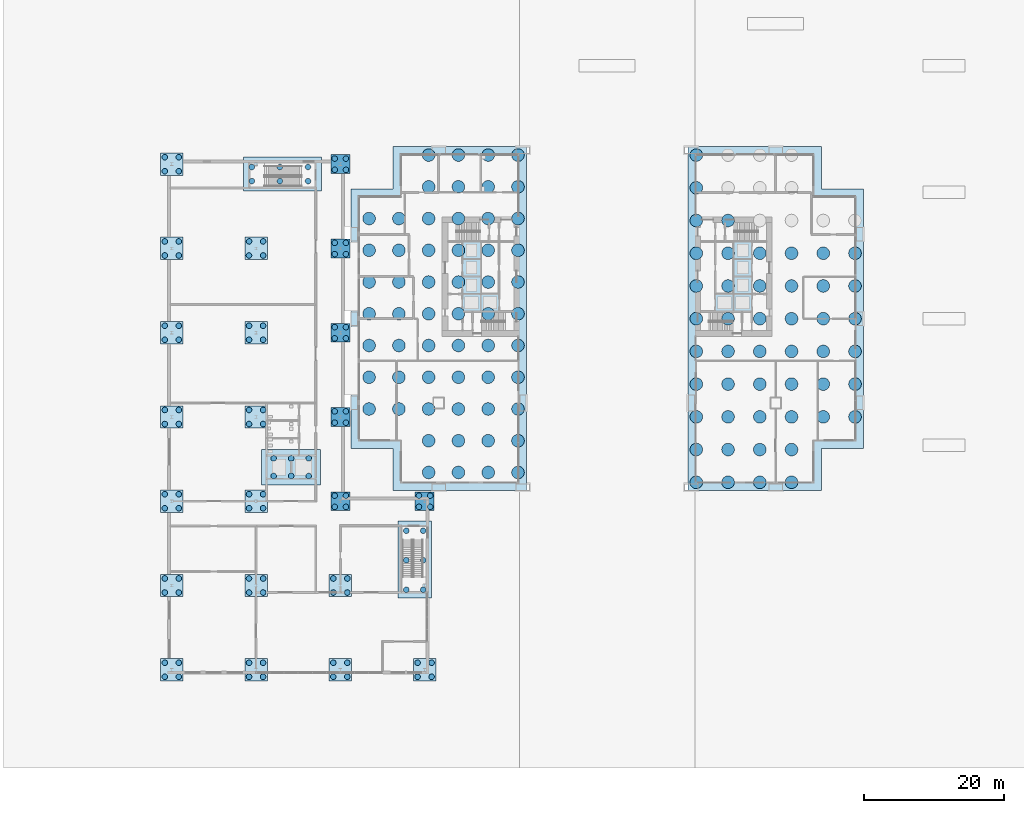
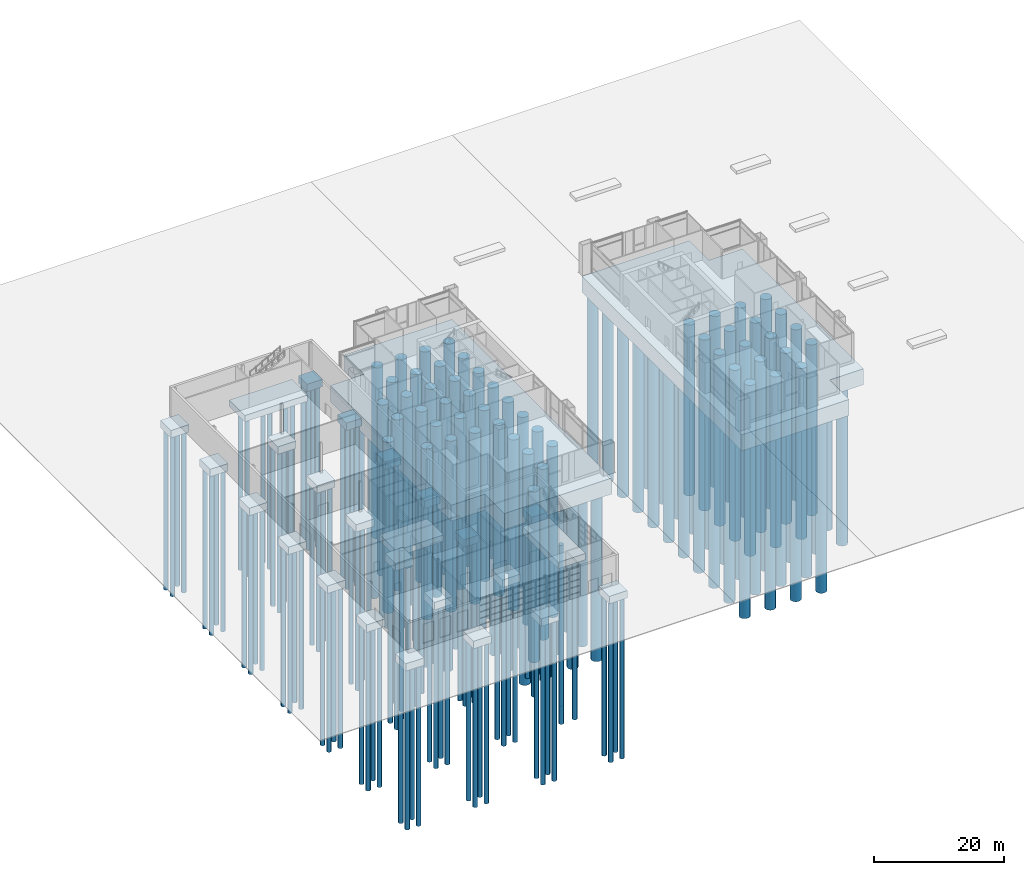
# One storey, part 1 of 29: 212 piles, 27 footings.
"""IFC4 building model written with IfcOpenShell, lengths in metres."""

from ifc_helpers import new_model, si_unit, direction, frame, origin, origin_2d, place, context, subcontext, project, spatial, polyline, rectangle, circle, outline, extrude, material, layer, layer_set, material_profile, profile_set, type_object, element, save


model = new_model("IFC4")

# Units and contexts
model_context = context("Model", 3, precision=1e-05, world=origin(), true_north=direction((0.0, 1.0)))
body_context = subcontext(model_context, "Body", "Model", "MODEL_VIEW")
ifc_project = project(units=[si_unit("LENGTHUNIT", "METRE"), si_unit("AREAUNIT", "SQUARE_METRE"), si_unit("VOLUMEUNIT", "CUBIC_METRE"), si_unit("PLANEANGLEUNIT", "RADIAN"), si_unit("MASSUNIT", "GRAM", prefix="KILO")], contexts=[model_context])

# Site, building, storey
site_placement = place(None, origin())
site = spatial("IfcSite", under=ifc_project, at=site_placement, CompositionType="ELEMENT")
building_placement = place(site_placement, origin())
building = spatial("IfcBuilding", under=site, at=building_placement, Name="Kitamizu Gate Tower and Museum", CompositionType="ELEMENT")
storey_placement = place(building_placement, origin())
storey = spatial("IfcBuildingStorey", under=building, at=storey_placement, Name="L00", CompositionType="ELEMENT", Elevation=0.0)

# Piles
ifc_material_1 = material(Name="Concrete Fc42", Category="concrete")
ifc_material_profile_1 = material_profile(ifc_material_1, circle(Radius=0.89990234375, at=origin_2d()), Name="Bored pile D1800")
ifc_profile_set_1 = profile_set([ifc_material_profile_1], Name="Concrete Fc42")
pile_type_1 = type_object("IfcPileType", Name="Bored pile D1800", PredefinedType="BORED", material=ifc_profile_set_1)
for number, where, z_axis, x_axis, name in (
    (1, (2.10009765625, 11.139892578125, -3.800048828125), (0.0, 0.0, -1.0), (1.0, 0.0, 0.0), "Bored pile W00-02"),
    (2, (2.10009765625, 15.659912109375, -3.800048828125), (0.0, 0.0, -1.0), (1.0, 0.0, 0.0), "Bored pile W00-03"),
    (3, (2.10009765625, 20.179931640625, -3.800048828125), (0.0, 0.0, -1.0), (1.0, 0.0, 0.0), "Bored pile W00-04"),
    (4, (2.10009765625, 24.699951171875, -3.800048828125), (0.0, 0.0, -1.0), (1.0, 0.0, 0.0), "Bored pile W00-05"),
    (5, (2.10009765625, 29.219970703125, -3.800048828125), (0.0, 0.0, -1.0), (1.0, 0.0, 0.0), "Bored pile W00-06"),
    (6, (2.10009765625, 33.739990234375, -3.800048828125), (0.0, 0.0, -1.0), (1.0, 0.0, 0.0), "Bored pile W00-07"),
    (7, (2.10009765625, 38.260009765625, -3.800048828125), (0.0, 0.0, -1.0), (1.0, 0.0, 0.0), "Bored pile W00-08"),
    (8, (6.340087890625, 11.139892578125, -3.800048828125), (0.0, 0.0, -1.0), (1.0, 0.0, 0.0), "Bored pile W01-02"),
    (9, (6.340087890625, 15.659912109375, -3.800048828125), (0.0, 0.0, -1.0), (1.0, 0.0, 0.0), "Bored pile W01-03"),
    (10, (6.340087890625, 20.179931640625, -3.800048828125), (0.0, 0.0, -1.0), (1.0, 0.0, 0.0), "Bored pile W01-04"),
    (11, (6.340087890625, 24.699951171875, -3.800048828125), (0.0, 0.0, -1.0), (1.0, 0.0, 0.0), "Bored pile W01-05"),
    (12, (6.340087890625, 29.219970703125, -3.800048828125), (0.0, 0.0, -1.0), (1.0, 0.0, 0.0), "Bored pile W01-06"),
    (13, (6.340087890625, 33.739990234375, -3.800048828125), (0.0, 0.0, -1.0), (1.0, 0.0, 0.0), "Bored pile W01-07"),
    (14, (6.340087890625, 38.260009765625, -3.800048828125), (0.0, 0.0, -1.0), (1.0, 0.0, 0.0), "Bored pile W01-08"),
    (15, (10.580078125, 2.10009765625, -3.800048828125), (0.0, 0.0, -1.0), (1.0, 0.0, 0.0), "Bored pile W02-00"),
    (16, (10.580078125, 6.6201171875, -3.800048828125), (0.0, 0.0, -1.0), (1.0, 0.0, 0.0), "Bored pile W02-01"),
    (17, (10.580078125, 11.139892578125, -3.800048828125), (0.0, 0.0, -1.0), (1.0, 0.0, 0.0), "Bored pile W02-02"),
    (18, (10.580078125, 15.659912109375, -3.800048828125), (0.0, 0.0, -1.0), (1.0, 0.0, 0.0), "Bored pile W02-03"),
    (19, (10.580078125, 20.179931640625, -3.800048828125), (0.0, 0.0, -1.0), (1.0, 0.0, 0.0), "Bored pile W02-04"),
    (20, (10.580078125, 24.699951171875, -3.800048828125), (0.0, 0.0, -1.0), (1.0, 0.0, 0.0), "Bored pile W02-05"),
    (21, (10.580078125, 29.219970703125, -3.800048828125), (0.0, 0.0, -1.0), (1.0, 0.0, 0.0), "Bored pile W02-06"),
    (22, (10.580078125, 33.739990234375, -3.800048828125), (0.0, 0.0, -1.0), (1.0, 0.0, 0.0), "Bored pile W02-07"),
    (23, (10.580078125, 38.260009765625, -3.800048828125), (0.0, 0.0, -1.0), (1.0, 0.0, 0.0), "Bored pile W02-08"),
    (24, (10.580078125, 42.780029296875, -3.800048828125), (0.0, 0.0, -1.0), (1.0, 0.0, 0.0), "Bored pile W02-09"),
    (25, (10.580078125, 47.300048828125, -3.800048828125), (0.0, 0.0, -1.0), (1.0, 0.0, 0.0), "Bored pile W02-10"),
    (26, (14.820068359375, 2.10009765625, -3.800048828125), (0.0, 0.0, -1.0), (1.0, 0.0, 0.0), "Bored pile W03-00"),
    (27, (14.820068359375, 6.6201171875, -3.800048828125), (0.0, 0.0, -1.0), (1.0, 0.0, 0.0), "Bored pile W03-01"),
    (28, (14.820068359375, 11.139892578125, -3.800048828125), (0.0, 0.0, -1.0), (1.0, 0.0, 0.0), "Bored pile W03-02"),
    (29, (14.820068359375, 15.659912109375, -3.800048828125), (0.0, 0.0, -1.0), (1.0, 0.0, 0.0), "Bored pile W03-03"),
    (30, (14.820068359375, 20.179931640625, -3.800048828125), (0.0, 0.0, -1.0), (1.0, 0.0, 0.0), "Bored pile W03-04"),
    (31, (14.820068359375, 24.699951171875, -3.800048828125), (0.0, 0.0, -1.0), (1.0, 0.0, 0.0), "Bored pile W03-05"),
    (32, (14.820068359375, 29.219970703125, -3.800048828125), (0.0, 0.0, -1.0), (1.0, 0.0, 0.0), "Bored pile W03-06"),
    (33, (14.820068359375, 33.739990234375, -3.800048828125), (0.0, 0.0, -1.0), (1.0, 0.0, 0.0), "Bored pile W03-07"),
    (34, (14.820068359375, 38.260009765625, -3.800048828125), (0.0, 0.0, -1.0), (1.0, 0.0, 0.0), "Bored pile W03-08"),
    (35, (14.820068359375, 42.780029296875, -3.800048828125), (0.0, 0.0, -1.0), (1.0, 0.0, 0.0), "Bored pile W03-09"),
    (36, (14.820068359375, 47.300048828125, -3.800048828125), (0.0, 0.0, -1.0), (1.0, 0.0, 0.0), "Bored pile W03-10"),
    (37, (19.06005859375, 2.10009765625, -3.800048828125), (0.0, 0.0, -1.0), (1.0, 0.0, 0.0), "Bored pile W04-00"),
    (38, (19.06005859375, 6.6201171875, -3.800048828125), (0.0, 0.0, -1.0), (1.0, 0.0, 0.0), "Bored pile W04-01"),
    (39, (19.06005859375, 11.139892578125, -3.800048828125), (0.0, 0.0, -1.0), (1.0, 0.0, 0.0), "Bored pile W04-02"),
    (40, (19.06005859375, 15.659912109375, -3.800048828125), (0.0, 0.0, -1.0), (1.0, 0.0, 0.0), "Bored pile W04-03"),
    (41, (19.06005859375, 20.179931640625, -3.800048828125), (0.0, 0.0, -1.0), (1.0, 0.0, 0.0), "Bored pile W04-04"),
    (42, (19.06005859375, 24.699951171875, -3.800048828125), (0.0, 0.0, -1.0), (1.0, 0.0, 0.0), "Bored pile W04-05"),
    (43, (19.06005859375, 29.219970703125, -3.800048828125), (0.0, 0.0, -1.0), (1.0, 0.0, 0.0), "Bored pile W04-06"),
    (44, (19.06005859375, 33.739990234375, -3.800048828125), (0.0, 0.0, -1.0), (1.0, 0.0, 0.0), "Bored pile W04-07"),
    (45, (19.06005859375, 38.260009765625, -3.800048828125), (0.0, 0.0, -1.0), (1.0, 0.0, 0.0), "Bored pile W04-08"),
    (46, (19.06005859375, 42.780029296875, -3.800048828125), (0.0, 0.0, -1.0), (1.0, 0.0, 0.0), "Bored pile W04-09"),
    (47, (19.06005859375, 47.300048828125, -3.800048828125), (0.0, 0.0, -1.0), (1.0, 0.0, 0.0), "Bored pile W04-10"),
    (48, (23.300048828125, 2.10009765625, -3.800048828125), (0.0, 0.0, -1.0), (1.0, 0.0, 0.0), "Bored pile W05-00"),
    (49, (23.300048828125, 6.6201171875, -3.800048828125), (0.0, 0.0, -1.0), (1.0, 0.0, 0.0), "Bored pile W05-01"),
    (50, (23.300048828125, 11.139892578125, -3.800048828125), (0.0, 0.0, -1.0), (1.0, 0.0, 0.0), "Bored pile W05-02"),
    (51, (23.300048828125, 15.659912109375, -3.800048828125), (0.0, 0.0, -1.0), (1.0, 0.0, 0.0), "Bored pile W05-03"),
    (52, (23.300048828125, 20.179931640625, -3.800048828125), (0.0, 0.0, -1.0), (1.0, 0.0, 0.0), "Bored pile W05-04"),
    (53, (23.300048828125, 24.699951171875, -3.800048828125), (0.0, 0.0, -1.0), (1.0, 0.0, 0.0), "Bored pile W05-05"),
    (54, (23.300048828125, 29.219970703125, -3.800048828125), (0.0, 0.0, -1.0), (1.0, 0.0, 0.0), "Bored pile W05-06"),
    (55, (23.300048828125, 33.739990234375, -3.800048828125), (0.0, 0.0, -1.0), (1.0, 0.0, 0.0), "Bored pile W05-07"),
    (56, (23.300048828125, 38.260009765625, -3.800048828125), (0.0, 0.0, -1.0), (1.0, 0.0, 0.0), "Bored pile W05-08"),
    (57, (23.300048828125, 42.780029296875, -3.800048828125), (0.0, 0.0, -1.0), (1.0, 0.0, 0.0), "Bored pile W05-09"),
    (58, (23.300048828125, 47.300048828125, -3.800048828125), (0.0, 0.0, -1.0), (1.0, 0.0, 0.0), "Bored pile W05-10"),
    (59, (48.699951171875, 0.699951171875, -3.800048828125), (0.0, 0.0, -1.0), (1.0, 0.0, 0.0), "Bored pile E00-00"),
    (60, (48.699951171875, 5.360107421875, -3.800048828125), (0.0, 0.0, -1.0), (1.0, 0.0, 0.0), "Bored pile E00-01"),
    (61, (48.699951171875, 10.02001953125, -3.800048828125), (0.0, 0.0, -1.0), (1.0, 0.0, 0.0), "Bored pile E00-02"),
    (62, (48.699951171875, 14.679931640625, -3.800048828125), (0.0, 0.0, -1.0), (1.0, 0.0, 0.0), "Bored pile E00-03"),
    (63, (48.699951171875, 19.340087890625, -3.800048828125), (0.0, 0.0, -1.0), (1.0, 0.0, 0.0), "Bored pile E00-04"),
    (64, (48.699951171875, 24.0, -3.800048828125), (0.0, 0.0, -1.0), (1.0, 0.0, 0.0), "Bored pile E00-05"),
    (65, (48.699951171875, 28.659912109375, -3.800048828125), (0.0, 0.0, -1.0), (1.0, 0.0, 0.0), "Bored pile E00-06"),
    (66, (48.699951171875, 33.320068359375, -3.800048828125), (0.0, 0.0, -1.0), (1.0, 0.0, 0.0), "Bored pile E00-07"),
    (67, (48.699951171875, 37.97998046875, -3.800048828125), (0.0, 0.0, -1.0), (1.0, 0.0, 0.0), "Bored pile E00-08"),
    (68, (48.699951171875, 42.639892578125, -3.800048828125), (0.0, 0.0, -1.0), (1.0, 0.0, 0.0), "Bored pile E00-09"),
    (69, (48.699951171875, 47.300048828125, -3.800048828125), (0.0, 0.0, -1.0), (1.0, 0.0, 0.0), "Bored pile E00-10"),
    (70, (53.219970703125, 0.699951171875, -3.800048828125), (0.0, 0.0, -1.0), (1.0, 0.0, 0.0), "Bored pile E01-00"),
    (71, (53.219970703125, 5.360107421875, -3.800048828125), (0.0, 0.0, -1.0), (1.0, 0.0, 0.0), "Bored pile E01-01"),
    (72, (53.219970703125, 10.02001953125, -3.800048828125), (0.0, 0.0, -1.0), (1.0, 0.0, 0.0), "Bored pile E01-02"),
    (73, (53.219970703125, 14.679931640625, -3.800048828125), (0.0, 0.0, -1.0), (1.0, 0.0, 0.0), "Bored pile E01-03"),
    (74, (53.219970703125, 19.340087890625, -3.800048828125), (0.0, 0.0, -1.0), (1.0, 0.0, 0.0), "Bored pile E01-04"),
    (75, (53.219970703125, 24.0, -3.800048828125), (0.0, 0.0, -1.0), (1.0, 0.0, 0.0), "Bored pile E01-05"),
    (76, (53.219970703125, 28.659912109375, -3.800048828125), (0.0, 0.0, -1.0), (1.0, 0.0, 0.0), "Bored pile E01-06"),
    (77, (53.219970703125, 33.320068359375, -3.800048828125), (0.0, 0.0, -1.0), (1.0, 0.0, 0.0), "Bored pile E01-07"),
    (78, (53.219970703125, 37.97998046875, -3.800048828125), (0.0, 0.0, -1.0), (1.0, 0.0, 0.0), "Bored pile E01-08"),
    (79, (57.739990234375, 0.699951171875, -3.800048828125), (0.0, 0.0, -1.0), (1.0, 0.0, 0.0), "Bored pile E02-00"),
    (80, (57.739990234375, 5.360107421875, -3.800048828125), (0.0, 0.0, -1.0), (1.0, 0.0, 0.0), "Bored pile E02-01"),
    (81, (57.739990234375, 10.02001953125, -3.800048828125), (0.0, 0.0, -1.0), (1.0, 0.0, 0.0), "Bored pile E02-02"),
    (82, (57.739990234375, 14.679931640625, -3.800048828125), (0.0, 0.0, -1.0), (1.0, 0.0, 0.0), "Bored pile E02-03"),
    (83, (57.739990234375, 19.340087890625, -3.800048828125), (0.0, 0.0, -1.0), (1.0, 0.0, 0.0), "Bored pile E02-04"),
    (84, (57.739990234375, 24.0, -3.800048828125), (0.0, 0.0, -1.0), (1.0, 0.0, 0.0), "Bored pile E02-05"),
    (85, (57.739990234375, 28.659912109375, -3.800048828125), (0.0, 0.0, -1.0), (1.0, 0.0, 0.0), "Bored pile E02-06"),
    (86, (57.739990234375, 33.320068359375, -3.800048828125), (0.0, 0.0, -1.0), (1.0, 0.0, 0.0), "Bored pile E02-07"),
    (87, (62.260009765625, 0.699951171875, -3.800048828125), (0.0, 0.0, -1.0), (1.0, 0.0, 0.0), "Bored pile E03-00"),
    (88, (62.260009765625, 5.360107421875, -3.800048828125), (0.0, 0.0, -1.0), (1.0, 0.0, 0.0), "Bored pile E03-01"),
    (89, (62.260009765625, 10.02001953125, -3.800048828125), (0.0, 0.0, -1.0), (1.0, 0.0, 0.0), "Bored pile E03-02"),
    (90, (62.260009765625, 14.679931640625, -3.800048828125), (0.0, 0.0, -1.0), (1.0, 0.0, 0.0), "Bored pile E03-03"),
    (91, (62.260009765625, 19.340087890625, -3.800048828125), (0.0, 0.0, -1.0), (1.0, 0.0, 0.0), "Bored pile E03-04"),
    (92, (62.260009765625, 24.0, -3.800048828125), (0.0, 0.0, -1.0), (1.0, 0.0, 0.0), "Bored pile E03-05"),
    (93, (62.260009765625, 28.659912109375, -3.800048828125), (0.0, 0.0, -1.0), (1.0, 0.0, 0.0), "Bored pile E03-06"),
    (94, (62.260009765625, 33.320068359375, -3.800048828125), (0.0, 0.0, -1.0), (1.0, 0.0, 0.0), "Bored pile E03-07"),
    (95, (66.780029296875, 10.02001953125, -3.800048828125), (0.0, 0.0, -1.0), (1.0, 0.0, 0.0), "Bored pile E04-02"),
    (96, (66.780029296875, 14.679931640625, -3.800048828125), (0.0, 0.0, -1.0), (1.0, 0.0, 0.0), "Bored pile E04-03"),
    (97, (66.780029296875, 19.340087890625, -3.800048828125), (0.0, 0.0, -1.0), (1.0, 0.0, 0.0), "Bored pile E04-04"),
    (98, (66.780029296875, 24.0, -3.800048828125), (0.0, 0.0, -1.0), (1.0, 0.0, 0.0), "Bored pile E04-05"),
    (99, (66.780029296875, 28.659912109375, -3.800048828125), (0.0, 0.0, -1.0), (1.0, 0.0, 0.0), "Bored pile E04-06"),
    (100, (66.780029296875, 33.320068359375, -3.800048828125), (0.0, 0.0, -1.0), (1.0, 0.0, 0.0), "Bored pile E04-07"),
    (101, (71.300048828125, 10.02001953125, -3.800048828125), (0.0, 0.0, -1.0), (1.0, 0.0, 0.0), "Bored pile E05-02"),
    (102, (71.300048828125, 14.679931640625, -3.800048828125), (0.0, 0.0, -1.0), (1.0, 0.0, 0.0), "Bored pile E05-03"),
    (103, (71.300048828125, 19.340087890625, -3.800048828125), (0.0, 0.0, -1.0), (1.0, 0.0, 0.0), "Bored pile E05-04"),
    (104, (71.300048828125, 24.0, -3.800048828125), (0.0, 0.0, -1.0), (1.0, 0.0, 0.0), "Bored pile E05-05"),
    (105, (71.300048828125, 28.659912109375, -3.800048828125), (0.0, 0.0, -1.0), (1.0, 0.0, 0.0), "Bored pile E05-06"),
    (106, (71.300048828125, 33.320068359375, -3.800048828125), (0.0, 0.0, -1.0), (1.0, 0.0, 0.0), "Bored pile E05-07"),
):
    element("IfcPile", number, at=place(storey_placement, frame(where, z_axis=z_axis, x_axis=x_axis)), inside=storey, type_object=pile_type_1, Name=name, PredefinedType="BORED", context=body_context, shape_type="SweptSolid", body=[
        extrude(circle(Radius=0.89990234375, at=origin_2d()), origin(), (0.0, 0.0, 1.0), 32.0),
    ])
ifc_material_2 = material(Name="Concrete Fc30", Category="concrete")
ifc_material_profile_2 = material_profile(ifc_material_2, circle(Radius=0.39990234375, at=origin_2d()), Name="D800")
ifc_profile_set_2 = profile_set([ifc_material_profile_2], Name="Concrete Fc30")
pile_type_2 = type_object("IfcPileType", Name="Museum bored pile D800", PredefinedType="BORED", material=ifc_profile_set_2)
for number, where, z_axis, x_axis, name in (
    (107, (-11.5, 1.60009765625, -2.89990234375), (0.0, 0.0, -1.0), (1.0, 0.0, 0.0), "Pile K.1"),
    (108, (-11.5, 4.10009765625, -2.89990234375), (0.0, 0.0, -1.0), (1.0, 0.0, 0.0), "Pile K.2"),
    (109, (-9.0, 1.60009765625, -2.89990234375), (0.0, 0.0, -1.0), (1.0, 0.0, 0.0), "Pile K.3"),
    (110, (-9.0, 4.10009765625, -2.89990234375), (0.0, 0.0, -1.0), (1.0, 0.0, 0.0), "Pile K.4"),
    (111, (-6.5, 1.60009765625, -2.89990234375), (0.0, 0.0, -1.0), (1.0, 0.0, 0.0), "Pile K.5"),
    (112, (-6.5, 4.10009765625, -2.89990234375), (0.0, 0.0, -1.0), (1.0, 0.0, 0.0), "Pile K.6"),
    (113, (7.39990234375, -14.60009765625, -2.10009765625), (0.0, 0.0, -1.0), (1.0, 0.0, 0.0), "Pile S.1"),
    (114, (7.39990234375, -10.39990234375, -2.10009765625), (0.0, 0.0, -1.0), (1.0, 0.0, 0.0), "Pile S.2"),
    (115, (7.39990234375, -6.199951171875, -2.10009765625), (0.0, 0.0, -1.0), (1.0, 0.0, 0.0), "Pile S.3"),
    (116, (9.800048828125, -14.60009765625, -2.10009765625), (0.0, 0.0, -1.0), (1.0, 0.0, 0.0), "Pile S.4"),
    (117, (9.800048828125, -10.39990234375, -2.10009765625), (0.0, 0.0, -1.0), (1.0, 0.0, 0.0), "Pile S.5"),
    (118, (9.800048828125, -6.199951171875, -2.10009765625), (0.0, 0.0, -1.0), (1.0, 0.0, 0.0), "Pile S.6"),
    (119, (-14.60009765625, 43.60009765625, -2.10009765625), (0.0, 0.0, -1.0), (1.0, 0.0, 0.0), "Pile N.1"),
    (120, (-14.60009765625, 45.60009765625, -2.10009765625), (0.0, 0.0, -1.0), (1.0, 0.0, 0.0), "Pile N.2"),
    (121, (-10.60009765625, 43.60009765625, -2.10009765625), (0.0, 0.0, -1.0), (1.0, 0.0, 0.0), "Pile N.3"),
    (122, (-10.60009765625, 45.60009765625, -2.10009765625), (0.0, 0.0, -1.0), (1.0, 0.0, 0.0), "Pile N.4"),
    (123, (-6.60009765625, 43.60009765625, -2.10009765625), (0.0, 0.0, -1.0), (1.0, 0.0, 0.0), "Pile N.5"),
    (124, (-6.60009765625, 45.60009765625, -2.10009765625), (0.0, 0.0, -1.0), (1.0, 0.0, 0.0), "Pile N.6"),
    (125, (-27.0, -27.0, -2.300048828125), (0.0, 0.0, -1.0), (1.0, 0.0, 0.0), "Pile M1MA.1"),
    (126, (-25.0, -27.0, -2.300048828125), (0.0, 0.0, -1.0), (1.0, 0.0, 0.0), "Pile M1MA.2"),
    (127, (-25.0, -25.0, -2.300048828125), (0.0, 0.0, -1.0), (1.0, 0.0, 0.0), "Pile M1MA.3"),
    (128, (-27.0, -25.0, -2.300048828125), (0.0, 0.0, -1.0), (1.0, 0.0, 0.0), "Pile M1MA.4"),
    (129, (-27.0, -15.0, -2.300048828125), (0.0, 0.0, -1.0), (1.0, 0.0, 0.0), "Pile M1MB.1"),
    (130, (-25.0, -15.0, -2.300048828125), (0.0, 0.0, -1.0), (1.0, 0.0, 0.0), "Pile M1MB.2"),
    (131, (-25.0, -13.0, -2.300048828125), (0.0, 0.0, -1.0), (1.0, 0.0, 0.0), "Pile M1MB.3"),
    (132, (-27.0, -13.0, -2.300048828125), (0.0, 0.0, -1.0), (1.0, 0.0, 0.0), "Pile M1MB.4"),
    (133, (-27.0, -3.0, -2.300048828125), (0.0, 0.0, -1.0), (1.0, 0.0, 0.0), "Pile M1MC.1"),
    (134, (-25.0, -3.0, -2.300048828125), (0.0, 0.0, -1.0), (1.0, 0.0, 0.0), "Pile M1MC.2"),
    (135, (-25.0, -1.0, -2.300048828125), (0.0, 0.0, -1.0), (1.0, 0.0, 0.0), "Pile M1MC.3"),
    (136, (-27.0, -1.0, -2.300048828125), (0.0, 0.0, -1.0), (1.0, 0.0, 0.0), "Pile M1MC.4"),
    (137, (-27.0, 9.0, -2.300048828125), (0.0, 0.0, -1.0), (1.0, 0.0, 0.0), "Pile M1MD.1"),
    (138, (-25.0, 9.0, -2.300048828125), (0.0, 0.0, -1.0), (1.0, 0.0, 0.0), "Pile M1MD.2"),
    (139, (-25.0, 11.0, -2.300048828125), (0.0, 0.0, -1.0), (1.0, 0.0, 0.0), "Pile M1MD.3"),
    (140, (-27.0, 11.0, -2.300048828125), (0.0, 0.0, -1.0), (1.0, 0.0, 0.0), "Pile M1MD.4"),
    (141, (-27.0, 21.0, -2.300048828125), (0.0, 0.0, -1.0), (1.0, 0.0, 0.0), "Pile M1ME.1"),
    (142, (-25.0, 21.0, -2.300048828125), (0.0, 0.0, -1.0), (1.0, 0.0, 0.0), "Pile M1ME.2"),
    (143, (-25.0, 23.0, -2.300048828125), (0.0, 0.0, -1.0), (1.0, 0.0, 0.0), "Pile M1ME.3"),
    (144, (-27.0, 23.0, -2.300048828125), (0.0, 0.0, -1.0), (1.0, 0.0, 0.0), "Pile M1ME.4"),
    (145, (-27.0, 33.0, -2.300048828125), (0.0, 0.0, -1.0), (1.0, 0.0, 0.0), "Pile M1MF.1"),
    (146, (-25.0, 33.0, -2.300048828125), (0.0, 0.0, -1.0), (1.0, 0.0, 0.0), "Pile M1MF.2"),
    (147, (-25.0, 35.0, -2.300048828125), (0.0, 0.0, -1.0), (1.0, 0.0, 0.0), "Pile M1MF.3"),
    (148, (-27.0, 35.0, -2.300048828125), (0.0, 0.0, -1.0), (1.0, 0.0, 0.0), "Pile M1MF.4"),
    (149, (-27.0, 45.0, -2.300048828125), (0.0, 0.0, -1.0), (1.0, 0.0, 0.0), "Pile M1MG.1"),
    (150, (-25.0, 45.0, -2.300048828125), (0.0, 0.0, -1.0), (1.0, 0.0, 0.0), "Pile M1MG.2"),
    (151, (-25.0, 47.0, -2.300048828125), (0.0, 0.0, -1.0), (1.0, 0.0, 0.0), "Pile M1MG.3"),
    (152, (-27.0, 47.0, -2.300048828125), (0.0, 0.0, -1.0), (1.0, 0.0, 0.0), "Pile M1MG.4"),
    (153, (-15.0, -27.0, -2.300048828125), (0.0, 0.0, -1.0), (1.0, 0.0, 0.0), "Pile M2MA.1"),
    (154, (-13.0, -27.0, -2.300048828125), (0.0, 0.0, -1.0), (1.0, 0.0, 0.0), "Pile M2MA.2"),
    (155, (-13.0, -25.0, -2.300048828125), (0.0, 0.0, -1.0), (1.0, 0.0, 0.0), "Pile M2MA.3"),
    (156, (-15.0, -25.0, -2.300048828125), (0.0, 0.0, -1.0), (1.0, 0.0, 0.0), "Pile M2MA.4"),
    (157, (-15.0, -15.0, -2.300048828125), (0.0, 0.0, -1.0), (1.0, 0.0, 0.0), "Pile M2MB.1"),
    (158, (-13.0, -15.0, -2.300048828125), (0.0, 0.0, -1.0), (1.0, 0.0, 0.0), "Pile M2MB.2"),
    (159, (-13.0, -13.0, -2.300048828125), (0.0, 0.0, -1.0), (1.0, 0.0, 0.0), "Pile M2MB.3"),
    (160, (-15.0, -13.0, -2.300048828125), (0.0, 0.0, -1.0), (1.0, 0.0, 0.0), "Pile M2MB.4"),
    (161, (-15.0, -3.0, -2.300048828125), (0.0, 0.0, -1.0), (1.0, 0.0, 0.0), "Pile M2MC.1"),
    (162, (-13.0, -3.0, -2.300048828125), (0.0, 0.0, -1.0), (1.0, 0.0, 0.0), "Pile M2MC.2"),
    (163, (-13.0, -1.0, -2.300048828125), (0.0, 0.0, -1.0), (1.0, 0.0, 0.0), "Pile M2MC.3"),
    (164, (-15.0, -1.0, -2.300048828125), (0.0, 0.0, -1.0), (1.0, 0.0, 0.0), "Pile M2MC.4"),
    (165, (-15.0, 9.0, -2.300048828125), (0.0, 0.0, -1.0), (1.0, 0.0, 0.0), "Pile M2MD.1"),
    (166, (-13.0, 9.0, -2.300048828125), (0.0, 0.0, -1.0), (1.0, 0.0, 0.0), "Pile M2MD.2"),
    (167, (-13.0, 11.0, -2.300048828125), (0.0, 0.0, -1.0), (1.0, 0.0, 0.0), "Pile M2MD.3"),
    (168, (-15.0, 11.0, -2.300048828125), (0.0, 0.0, -1.0), (1.0, 0.0, 0.0), "Pile M2MD.4"),
    (169, (-15.0, 21.0, -2.300048828125), (0.0, 0.0, -1.0), (1.0, 0.0, 0.0), "Pile M2ME.1"),
    (170, (-13.0, 21.0, -2.300048828125), (0.0, 0.0, -1.0), (1.0, 0.0, 0.0), "Pile M2ME.2"),
    (171, (-13.0, 23.0, -2.300048828125), (0.0, 0.0, -1.0), (1.0, 0.0, 0.0), "Pile M2ME.3"),
    (172, (-15.0, 23.0, -2.300048828125), (0.0, 0.0, -1.0), (1.0, 0.0, 0.0), "Pile M2ME.4"),
    (173, (-15.0, 33.0, -2.300048828125), (0.0, 0.0, -1.0), (1.0, 0.0, 0.0), "Pile M2MF.1"),
    (174, (-13.0, 33.0, -2.300048828125), (0.0, 0.0, -1.0), (1.0, 0.0, 0.0), "Pile M2MF.2"),
    (175, (-13.0, 35.0, -2.300048828125), (0.0, 0.0, -1.0), (1.0, 0.0, 0.0), "Pile M2MF.3"),
    (176, (-15.0, 35.0, -2.300048828125), (0.0, 0.0, -1.0), (1.0, 0.0, 0.0), "Pile M2MF.4"),
    (177, (-3.0, -27.0, -2.300048828125), (0.0, 0.0, -1.0), (1.0, 0.0, 0.0), "Pile M3MA.1"),
    (178, (-1.0, -27.0, -2.300048828125), (0.0, 0.0, -1.0), (1.0, 0.0, 0.0), "Pile M3MA.2"),
    (179, (-1.0, -25.0, -2.300048828125), (0.0, 0.0, -1.0), (1.0, 0.0, 0.0), "Pile M3MA.3"),
    (180, (-3.0, -25.0, -2.300048828125), (0.0, 0.0, -1.0), (1.0, 0.0, 0.0), "Pile M3MA.4"),
    (181, (-3.0, -15.0, -2.300048828125), (0.0, 0.0, -1.0), (1.0, 0.0, 0.0), "Pile M3MB.1"),
    (182, (-1.0, -15.0, -2.300048828125), (0.0, 0.0, -1.0), (1.0, 0.0, 0.0), "Pile M3MB.2"),
    (183, (-1.0, -13.0, -2.300048828125), (0.0, 0.0, -1.0), (1.0, 0.0, 0.0), "Pile M3MB.3"),
    (184, (-3.0, -13.0, -2.300048828125), (0.0, 0.0, -1.0), (1.0, 0.0, 0.0), "Pile M3MB.4"),
    (185, (-2.800048828125, -2.800048828125, -2.300048828125), (0.0, 0.0, -1.0), (1.0, 0.0, 0.0), "Pile M3MC.1"),
    (186, (-1.199951171875, -2.800048828125, -2.300048828125), (0.0, 0.0, -1.0), (1.0, 0.0, 0.0), "Pile M3MC.2"),
    (187, (-1.199951171875, -1.199951171875, -2.300048828125), (0.0, 0.0, -1.0), (1.0, 0.0, 0.0), "Pile M3MC.3"),
    (188, (-2.800048828125, -1.199951171875, -2.300048828125), (0.0, 0.0, -1.0), (1.0, 0.0, 0.0), "Pile M3MC.4"),
    (189, (-2.800048828125, 9.199951171875, -2.300048828125), (0.0, 0.0, -1.0), (1.0, 0.0, 0.0), "Pile M3MD.1"),
    (190, (-1.199951171875, 9.199951171875, -2.300048828125), (0.0, 0.0, -1.0), (1.0, 0.0, 0.0), "Pile M3MD.2"),
    (191, (-1.199951171875, 10.800048828125, -2.300048828125), (0.0, 0.0, -1.0), (1.0, 0.0, 0.0), "Pile M3MD.3"),
    (192, (-2.800048828125, 10.800048828125, -2.300048828125), (0.0, 0.0, -1.0), (1.0, 0.0, 0.0), "Pile M3MD.4"),
    (193, (-2.800048828125, 21.199951171875, -2.300048828125), (0.0, 0.0, -1.0), (1.0, 0.0, 0.0), "Pile M3ME.1"),
    (194, (-1.199951171875, 21.199951171875, -2.300048828125), (0.0, 0.0, -1.0), (1.0, 0.0, 0.0), "Pile M3ME.2"),
    (195, (-1.199951171875, 22.800048828125, -2.300048828125), (0.0, 0.0, -1.0), (1.0, 0.0, 0.0), "Pile M3ME.3"),
    (196, (-2.800048828125, 22.800048828125, -2.300048828125), (0.0, 0.0, -1.0), (1.0, 0.0, 0.0), "Pile M3ME.4"),
    (197, (-2.800048828125, 33.199951171875, -2.300048828125), (0.0, 0.0, -1.0), (1.0, 0.0, 0.0), "Pile M3MF.1"),
    (198, (-1.199951171875, 33.199951171875, -2.300048828125), (0.0, 0.0, -1.0), (1.0, 0.0, 0.0), "Pile M3MF.2"),
    (199, (-1.199951171875, 34.800048828125, -2.300048828125), (0.0, 0.0, -1.0), (1.0, 0.0, 0.0), "Pile M3MF.3"),
    (200, (-2.800048828125, 34.800048828125, -2.300048828125), (0.0, 0.0, -1.0), (1.0, 0.0, 0.0), "Pile M3MF.4"),
    (201, (-2.800048828125, 45.199951171875, -2.300048828125), (0.0, 0.0, -1.0), (1.0, 0.0, 0.0), "Pile M3MG.1"),
    (202, (-1.199951171875, 45.199951171875, -2.300048828125), (0.0, 0.0, -1.0), (1.0, 0.0, 0.0), "Pile M3MG.2"),
    (203, (-1.199951171875, 46.800048828125, -2.300048828125), (0.0, 0.0, -1.0), (1.0, 0.0, 0.0), "Pile M3MG.3"),
    (204, (-2.800048828125, 46.800048828125, -2.300048828125), (0.0, 0.0, -1.0), (1.0, 0.0, 0.0), "Pile M3MG.4"),
    (205, (9.0, -27.0, -2.300048828125), (0.0, 0.0, -1.0), (1.0, 0.0, 0.0), "Pile M4MA.1"),
    (206, (11.0, -27.0, -2.300048828125), (0.0, 0.0, -1.0), (1.0, 0.0, 0.0), "Pile M4MA.2"),
    (207, (11.0, -25.0, -2.300048828125), (0.0, 0.0, -1.0), (1.0, 0.0, 0.0), "Pile M4MA.3"),
    (208, (9.0, -25.0, -2.300048828125), (0.0, 0.0, -1.0), (1.0, 0.0, 0.0), "Pile M4MA.4"),
    (209, (9.199951171875, -2.800048828125, -2.300048828125), (0.0, 0.0, -1.0), (1.0, 0.0, 0.0), "Pile M4MC.1"),
    (210, (10.800048828125, -2.800048828125, -2.300048828125), (0.0, 0.0, -1.0), (1.0, 0.0, 0.0), "Pile M4MC.2"),
    (211, (10.800048828125, -1.199951171875, -2.300048828125), (0.0, 0.0, -1.0), (1.0, 0.0, 0.0), "Pile M4MC.3"),
    (212, (9.199951171875, -1.199951171875, -2.300048828125), (0.0, 0.0, -1.0), (1.0, 0.0, 0.0), "Pile M4MC.4"),
):
    element("IfcPile", number, at=place(storey_placement, frame(where, z_axis=z_axis, x_axis=x_axis)), inside=storey, type_object=pile_type_2, Name=name, PredefinedType="BORED", context=body_context, shape_type="SweptSolid", body=[
        extrude(circle(Radius=0.39990234375, at=origin_2d()), origin(), (0.0, 0.0, 1.0), 30.10009765625),
    ])

# Footings
ifc_material_3 = material(Name="Concrete Fc30", Category="concrete")
ifc_layer_1 = layer(ifc_material_3, 1.199951171875)
ifc_layer_set_1 = layer_set([ifc_layer_1], Name="Concrete Fc30")
footing_type_1 = type_object("IfcFootingType", Name="Museum core raft 1200", PredefinedType="PAD_FOOTING", material=ifc_layer_set_1)
footing_1_placement = place(storey_placement, frame((0.0, 0.0, -3.0)))
element("IfcFooting", 213, at=footing_1_placement, inside=storey, type_object=footing_type_1, Name="Core raft K", PredefinedType="PAD_FOOTING", context=body_context, shape_type="SweptSolid", body=[
    extrude(outline(polyline([(-13.199951171875, 0.35009765625), (-4.800048828125, 0.35009765625), (-4.800048828125, 5.35009765625), (-13.199951171875, 5.35009765625), (-13.199951171875, 0.35009765625)])), origin(), (0.0, 0.0, 1.0), 1.199951171875),
])
footing_2_placement = place(storey_placement, frame((0.0, 0.0, -2.199951171875)))
element("IfcFooting", 214, at=footing_2_placement, inside=storey, type_object=footing_type_1, Name="Core raft S", PredefinedType="PAD_FOOTING", context=body_context, shape_type="SweptSolid", body=[
    extrude(outline(polyline([(6.199951171875, -15.800048828125), (11.0, -15.800048828125), (11.0, -4.800048828125), (6.199951171875, -4.800048828125), (6.199951171875, -15.800048828125)])), origin(), (0.0, 0.0, 1.0), 1.199951171875),
])
footing_3_placement = place(storey_placement, frame((0.0, 0.0, -2.199951171875)))
element("IfcFooting", 215, at=footing_3_placement, inside=storey, type_object=footing_type_1, Name="Core raft N", PredefinedType="PAD_FOOTING", context=body_context, shape_type="SweptSolid", body=[
    extrude(outline(polyline([(-15.800048828125, 42.199951171875), (-4.699951171875, 42.199951171875), (-4.699951171875, 47.0), (-15.800048828125, 47.0), (-15.800048828125, 42.199951171875)])), origin(), (0.0, 0.0, 1.0), 1.199951171875),
])
ifc_material_4 = material(Name="Concrete Fc30", Category="concrete")
ifc_layer_2 = layer(ifc_material_4, 1.39990234375)
ifc_layer_set_2 = layer_set([ifc_layer_2], Name="Concrete Fc30")
footing_type_2 = type_object("IfcFootingType", Name="Museum pile cap 2700", PredefinedType="PILE_CAP", material=ifc_layer_set_2)
for number, where, z_axis, x_axis, name in (
    (216, (-2.0, -2.0, -2.39990234375), (0.0, 0.0, 1.0), (1.0, 0.0, 0.0), "Pile cap M3MC"),
    (217, (-2.0, 10.0, -2.39990234375), (0.0, 0.0, 1.0), (1.0, 0.0, 0.0), "Pile cap M3MD"),
    (218, (-2.0, 22.0, -2.39990234375), (0.0, 0.0, 1.0), (1.0, 0.0, 0.0), "Pile cap M3ME"),
    (219, (-2.0, 34.0, -2.39990234375), (0.0, 0.0, 1.0), (1.0, 0.0, 0.0), "Pile cap M3MF"),
    (220, (-2.0, 46.0, -2.39990234375), (0.0, 0.0, 1.0), (1.0, 0.0, 0.0), "Pile cap M3MG"),
    (221, (10.0, -2.0, -2.39990234375), (0.0, 0.0, 1.0), (1.0, 0.0, 0.0), "Pile cap M4MC"),
):
    element("IfcFooting", number, at=place(storey_placement, frame(where, z_axis=z_axis, x_axis=x_axis)), inside=storey, type_object=footing_type_2, Name=name, PredefinedType="PILE_CAP", context=body_context, shape_type="SweptSolid", body=[
        extrude(rectangle(XDim=2.699951171875, YDim=2.699951171875, at=origin_2d()), origin(), (0.0, 0.0, 1.0), 1.39990234375),
    ])
ifc_material_5 = material(Name="Concrete Fc30", Category="concrete")
ifc_layer_3 = layer(ifc_material_5, 1.39990234375)
ifc_layer_set_3 = layer_set([ifc_layer_3], Name="Concrete Fc30")
footing_type_3 = type_object("IfcFootingType", Name="Museum pile cap 3200", PredefinedType="PILE_CAP", material=ifc_layer_set_3)
for number, where, z_axis, x_axis, name in (
    (222, (-26.0, -26.0, -2.39990234375), (0.0, 0.0, 1.0), (1.0, 0.0, 0.0), "Pile cap M1MA"),
    (223, (-26.0, -14.0, -2.39990234375), (0.0, 0.0, 1.0), (1.0, 0.0, 0.0), "Pile cap M1MB"),
    (224, (-26.0, -2.0, -2.39990234375), (0.0, 0.0, 1.0), (1.0, 0.0, 0.0), "Pile cap M1MC"),
    (225, (-26.0, 10.0, -2.39990234375), (0.0, 0.0, 1.0), (1.0, 0.0, 0.0), "Pile cap M1MD"),
    (226, (-26.0, 22.0, -2.39990234375), (0.0, 0.0, 1.0), (1.0, 0.0, 0.0), "Pile cap M1ME"),
    (227, (-26.0, 34.0, -2.39990234375), (0.0, 0.0, 1.0), (1.0, 0.0, 0.0), "Pile cap M1MF"),
    (228, (-26.0, 46.0, -2.39990234375), (0.0, 0.0, 1.0), (1.0, 0.0, 0.0), "Pile cap M1MG"),
    (229, (-14.0, -26.0, -2.39990234375), (0.0, 0.0, 1.0), (1.0, 0.0, 0.0), "Pile cap M2MA"),
    (230, (-14.0, -14.0, -2.39990234375), (0.0, 0.0, 1.0), (1.0, 0.0, 0.0), "Pile cap M2MB"),
    (231, (-14.0, -2.0, -2.39990234375), (0.0, 0.0, 1.0), (1.0, 0.0, 0.0), "Pile cap M2MC"),
    (232, (-14.0, 10.0, -2.39990234375), (0.0, 0.0, 1.0), (1.0, 0.0, 0.0), "Pile cap M2MD"),
    (233, (-14.0, 22.0, -2.39990234375), (0.0, 0.0, 1.0), (1.0, 0.0, 0.0), "Pile cap M2ME"),
    (234, (-14.0, 34.0, -2.39990234375), (0.0, 0.0, 1.0), (1.0, 0.0, 0.0), "Pile cap M2MF"),
    (235, (-2.0, -26.0, -2.39990234375), (0.0, 0.0, 1.0), (1.0, 0.0, 0.0), "Pile cap M3MA"),
    (236, (-2.0, -14.0, -2.39990234375), (0.0, 0.0, 1.0), (1.0, 0.0, 0.0), "Pile cap M3MB"),
    (237, (10.0, -26.0, -2.39990234375), (0.0, 0.0, 1.0), (1.0, 0.0, 0.0), "Pile cap M4MA"),
):
    element("IfcFooting", number, at=place(storey_placement, frame(where, z_axis=z_axis, x_axis=x_axis)), inside=storey, type_object=footing_type_3, Name=name, PredefinedType="PILE_CAP", context=body_context, shape_type="SweptSolid", body=[
        extrude(rectangle(XDim=3.199951171875, YDim=3.199951171875, at=origin_2d()), origin(), (0.0, 0.0, 1.0), 1.39990234375),
    ])
ifc_material_6 = material(Name="Concrete Fc60", Category="concrete")
ifc_layer_4 = layer(ifc_material_6, 3.0)
ifc_layer_set_4 = layer_set([ifc_layer_4], Name="Concrete Fc60")
footing_type_4 = type_object("IfcFootingType", Name="Piled raft 3000", PredefinedType="PILE_CAP", material=ifc_layer_set_4)
footing_4_placement = place(storey_placement, frame((0.0, 0.0, -3.89990234375)))
element("IfcFooting", 238, at=footing_4_placement, inside=storey, type_object=footing_type_4, Name="Piled raft W leg", PredefinedType="PILE_CAP", context=body_context, shape_type="SweptSolid", body=[
    extrude(outline(polyline([(5.5, -0.5), (5.5, 5.5), (-0.5, 5.5), (-0.5, 42.5), (5.5, 42.5), (5.5, 48.5), (24.5, 48.5), (24.5, -0.5), (5.5, -0.5)])), origin(), (0.0, 0.0, 1.0), 3.0),
])
footing_5_placement = place(storey_placement, frame((0.0, 0.0, -3.89990234375)))
element("IfcFooting", 239, at=footing_5_placement, inside=storey, type_object=footing_type_4, Name="Piled raft E leg", PredefinedType="PILE_CAP", context=body_context, shape_type="SweptSolid", body=[
    extrude(outline(polyline([(47.5, -0.5), (47.5, 48.5), (66.5, 48.5), (66.5, 42.5), (72.5, 42.5), (72.5, 5.5), (66.5, 5.5), (66.5, -0.5), (47.5, -0.5)])), origin(), (0.0, 0.0, 1.0), 3.0),
])

save(model, "model.ifc")
